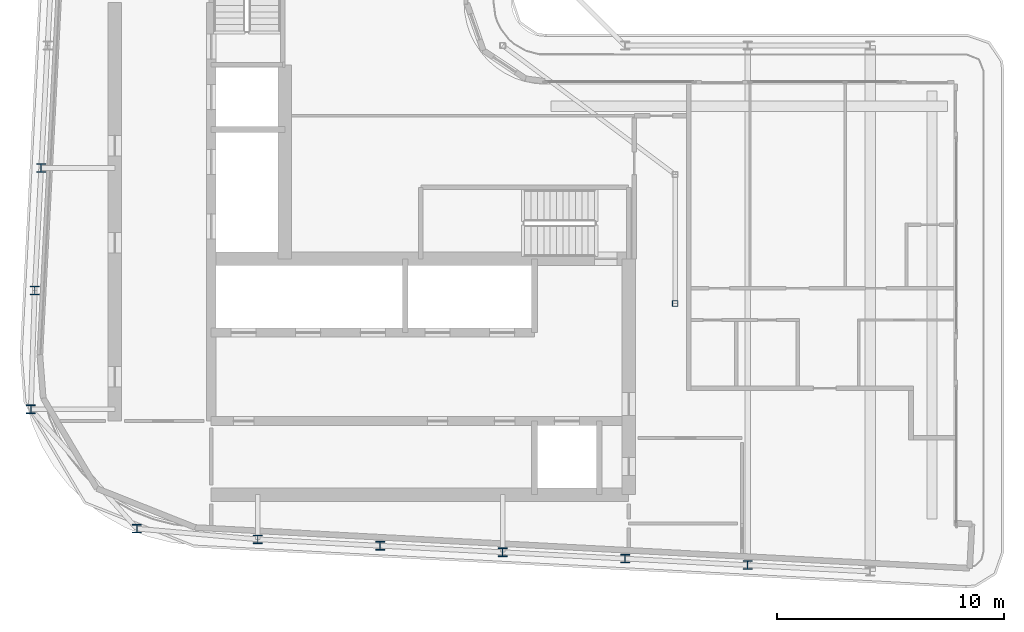
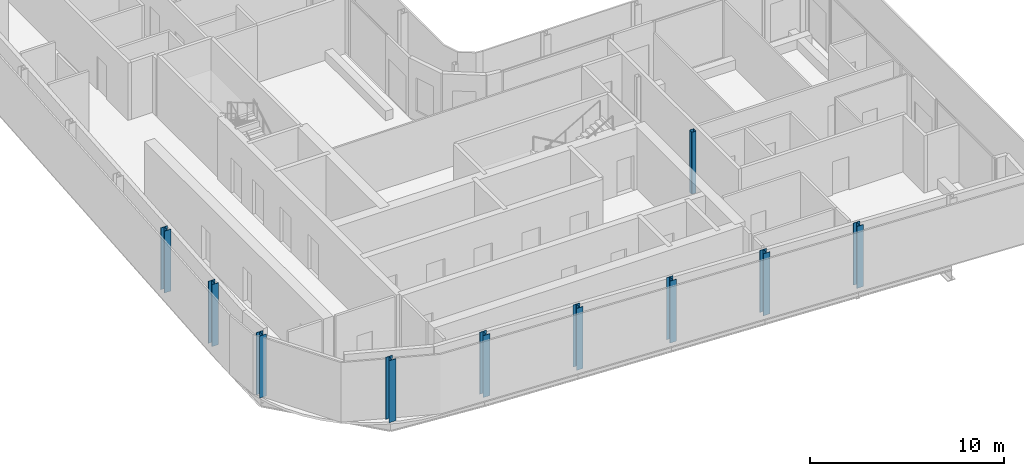
# One storey, part 1 of 21: 10 columns.
"""IFC4 building model written with IfcOpenShell, lengths in metres."""

from ifc_helpers import new_model, si_unit, direction, frame, origin, origin_2d, place, context, subcontext, project, spatial, hollow_rectangle, i_section, extrude, material, material_profile, profile_set, type_object, element, save


model = new_model("IFC4")

# Units and contexts
model_context = context("Model", 3, precision=1e-05, world=origin(), true_north=direction((0.0, 1.0)))
body_context = subcontext(model_context, "Body", "Model", "MODEL_VIEW")
ifc_project = project(units=[si_unit("LENGTHUNIT", "METRE"), si_unit("AREAUNIT", "SQUARE_METRE"), si_unit("VOLUMEUNIT", "CUBIC_METRE"), si_unit("PLANEANGLEUNIT", "RADIAN"), si_unit("MASSUNIT", "GRAM", prefix="KILO")], contexts=[model_context])

# Site, building, storey
site_placement = place(None, origin())
site = spatial("IfcSite", under=ifc_project, at=site_placement, CompositionType="ELEMENT")
building_placement = place(site_placement, origin())
building = spatial("IfcBuilding", under=site, at=building_placement, Name="Kheshtan School and Residences Tower", CompositionType="ELEMENT")
storey_placement = place(building_placement, frame((0.0, 0.0, 313.699951171875)))
storey = spatial("IfcBuildingStorey", under=building, at=storey_placement, Name="L74", CompositionType="ELEMENT", Elevation=313.699951171875)

# Columns
ifc_material_1 = material(Name="Steel ASTM A992 Grade 50", Category="steel")
ifc_material_profile_1 = material_profile(ifc_material_1, i_section(OverallWidth=0.39501953125, OverallDepth=0.3798828125, WebThickness=0.018798828125, FlangeThickness=0.0302734375, FilletRadius=0.011474609375, at=origin_2d()), Name="W360x237")
ifc_profile_set_1 = profile_set([ifc_material_profile_1], Name="Steel ASTM A992 Grade 50")
column_type_1 = type_object("IfcColumnType", Name="Column C5 W360x237 ASTM A992 Grade 50", PredefinedType="COLUMN", material=ifc_profile_set_1)
for number, where, z_axis, x_axis, name in (
    (1, (58.39990234375, 22.695068359375, 0.0), (0.0, 0.0, 1.0), (1.0, 0.0, 0.0), "Column C018"),
    (2, (53.0, 22.97998046875, 0.0), (0.0, 0.0, 1.0), (1.0, 0.0, 0.0), "Column C019"),
    (3, (47.60009765625, 23.263916015625, 0.0), (0.0, 0.0, 1.0), (1.0, 0.0, 0.0), "Column C020"),
    (4, (42.199951171875, 23.548095703125, 0.0), (0.0, 0.0, 1.0), (1.0, 0.0, 0.0), "Column C021"),
    (5, (36.800048828125, 23.83203125, 0.0), (0.0, 0.0, 1.0), (1.0, 0.0, 0.0), "Column C022"),
    (6, (31.47412109375, 24.302001953125, 0.0), (0.0, 0.0, 1.0), (1.0, 0.0, 0.0), "Column C031"),
    (7, (26.797119140625, 29.56591796875, 0.0), (0.0, 0.0, 1.0), (1.0, 0.0, 0.0), "Column C044"),
    (8, (26.968994140625, 34.800048828125, 0.0), (0.0, 0.0, 1.0), (1.0, 0.0, 0.0), "Column C052"),
    (9, (27.2529296875, 40.199951171875, 0.0), (0.0, 0.0, 1.0), (1.0, 0.0, 0.0), "Column C056"),
):
    element("IfcColumn", number, at=place(storey_placement, frame(where, z_axis=z_axis, x_axis=x_axis)), inside=storey, type_object=column_type_1, Name=name, PredefinedType="COLUMN", context=body_context, shape_type="SweptSolid", body=[
        extrude(i_section(OverallWidth=0.39501953125, OverallDepth=0.3798828125, WebThickness=0.018798828125, FlangeThickness=0.0302734375, FilletRadius=0.011474609375, at=origin_2d()), origin(), (0.0, 0.0, 1.0), 3.900146484375),
    ])
ifc_material_2 = material(Name="Steel ASTM A500 Grade C", Category="steel")
ifc_material_profile_2 = material_profile(ifc_material_2, hollow_rectangle(XDim=0.25390625, YDim=0.25390625, WallThickness=0.0126953125, InnerFilletRadius=0.0126953125, OuterFilletRadius=0.025390625, at=origin_2d()), Name="HSS 254x254x12.7")
ifc_profile_set_2 = profile_set([ifc_material_profile_2], Name="Steel ASTM A500 Grade C")
column_type_2 = type_object("IfcColumnType", Name="Column IC3 HSS 254x254x12.7 ASTM A500 Grade C", PredefinedType="COLUMN", material=ifc_profile_set_2)
column_placement = place(storey_placement, frame((55.199951171875, 34.23193359375, 0.0), z_axis=(0.0, 0.0, 1.0), x_axis=(1.0, 0.0, 0.0)))
element("IfcColumn", 10, at=column_placement, inside=storey, type_object=column_type_2, Name="Column C051", PredefinedType="COLUMN", context=body_context, shape_type="SweptSolid", body=[
    extrude(hollow_rectangle(XDim=0.25390625, YDim=0.25390625, WallThickness=0.0126953125, InnerFilletRadius=0.0126953125, OuterFilletRadius=0.025390625, at=origin_2d()), origin(), (0.0, 0.0, 1.0), 3.900146484375),
])

save(model, "model.ifc")
